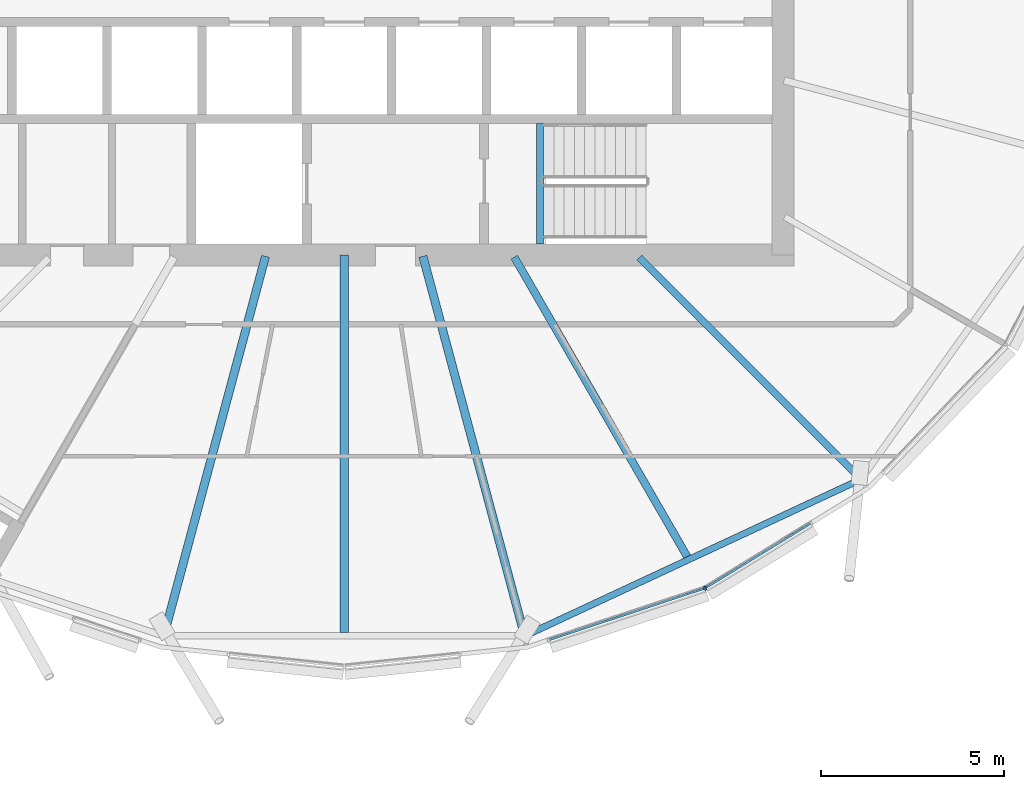
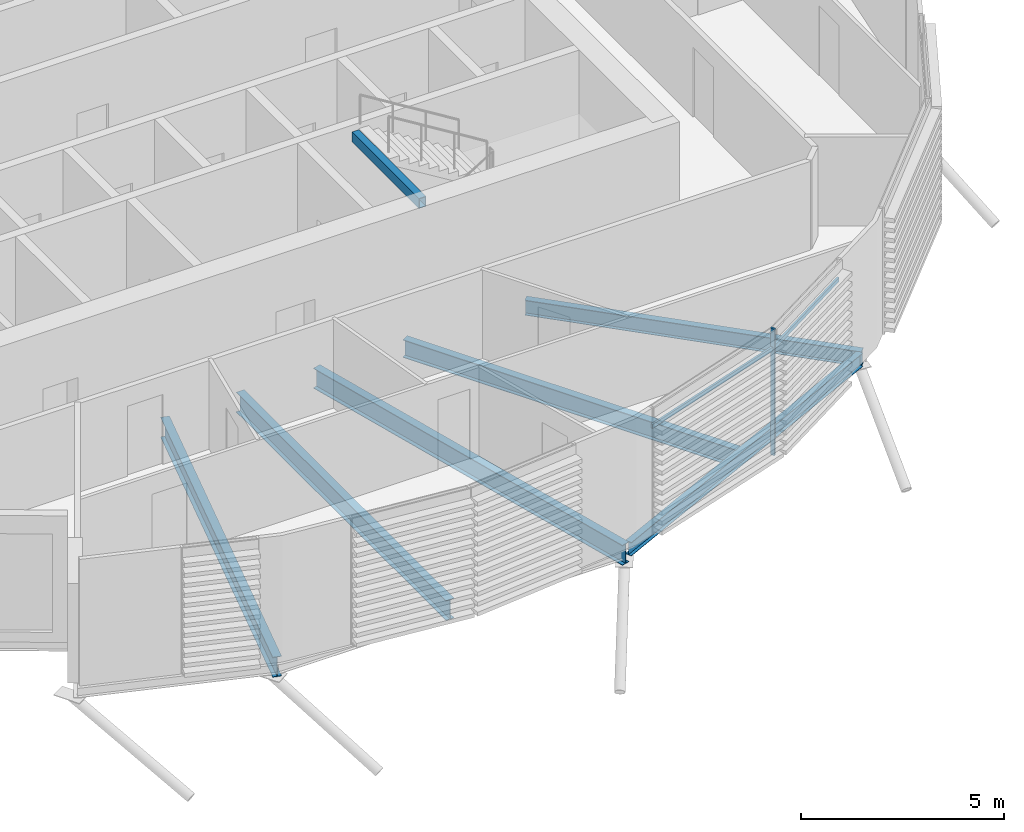
# One storey, part 4 of 36: 7 beams, 3 members, 1 element without a shape of its own.
"""IFC4 building model written with IfcOpenShell, lengths in metres."""

from ifc_helpers import new_model, si_unit, direction, frame, origin, origin_2d, place, context, subcontext, project, spatial, rectangle, hollow_rectangle, i_section, extrude, material, material_profile, profile_set, type_object, element, aggregate, save


model = new_model("IFC4")

# Units and contexts
model_context = context("Model", 3, precision=1e-05, world=origin(), true_north=direction((0.0, 1.0)))
body_context = subcontext(model_context, "Body", "Model", "MODEL_VIEW")
ifc_project = project(units=[si_unit("LENGTHUNIT", "METRE"), si_unit("AREAUNIT", "SQUARE_METRE"), si_unit("VOLUMEUNIT", "CUBIC_METRE"), si_unit("PLANEANGLEUNIT", "RADIAN"), si_unit("MASSUNIT", "GRAM", prefix="KILO")], contexts=[model_context])

# Site, building, storey
site_placement = place(None, origin())
site = spatial("IfcSite", under=ifc_project, at=site_placement, CompositionType="ELEMENT")
building_placement = place(site_placement, origin())
building = spatial("IfcBuilding", under=site, at=building_placement, Name="Rimbun Link Towers", CompositionType="ELEMENT")
storey_placement = place(building_placement, frame((0.0, 0.0, 200.699951171875)))
storey = spatial("IfcBuildingStorey", under=building, at=storey_placement, Name="L49", CompositionType="ELEMENT", Elevation=200.699951171875)

# Curtain wall, members
ifc_material_1 = material(Name="Aluminium 6063-T6 and low-iron glass", Category="aluminium")
curtain_wall_type = type_object("IfcCurtainWallType", Name="CW1-Z3 unitised vision wall (zone 3)", PredefinedType="NOTDEFINED", material=ifc_material_1)
curtain_wall_placement = place(storey_placement, origin())
curtain_wall = element("IfcCurtainWall", 1, at=curtain_wall_placement, inside=storey, type_object=curtain_wall_type, Name="CW1 L49 T1", PredefinedType="NOTDEFINED")
ifc_material_2 = material(Name="Aluminium 6063-T6", Category="aluminium")
ifc_material_profile_1 = material_profile(ifc_material_2, rectangle(XDim=0.1201171875, YDim=0.06005859375, at=origin_2d()), Name="MULLION 60X120")
ifc_profile_set_1 = profile_set([ifc_material_profile_1], Name="Aluminium 6063-T6")
member_type_1 = type_object("IfcMemberType", Name="CW1 mullion 60X120", PredefinedType="MULLION", material=ifc_profile_set_1)
member_1_placement = place(storey_placement, frame((-21.881103515625, -17.10400390625, 0.0), z_axis=(0.0, 0.0, 1.0), x_axis=(0.421694621362, -0.906737914899, 0.0)))
member_1 = element("IfcMember", 2, at=member_1_placement, type_object=member_type_1, Name="CW1 mullion", PredefinedType="MULLION", context=body_context, shape_type="SweptSolid", body=[
    extrude(rectangle(XDim=0.1201171875, YDim=0.06005859375, at=origin_2d()), origin(), (0.0, 0.0, 1.0), 3.800048828125),
])
ifc_material_3 = material(Name="Aluminium 6063-T6", Category="aluminium")
ifc_material_profile_2 = material_profile(ifc_material_3, rectangle(XDim=0.06005859375, YDim=0.1201171875, at=origin_2d()), Name="TRANSOM 60X120")
ifc_profile_set_2 = profile_set([ifc_material_profile_2], Name="Aluminium 6063-T6")
member_type_2 = type_object("IfcMemberType", Name="CW1 transom 60X120", PredefinedType="USERDEFINED", material=ifc_profile_set_2)
member_2_placement = place(storey_placement, frame((-21.916748046875, -17.1142578125, 3.199951171875), z_axis=(-0.949247657744, -0.314529623833, 0.0), x_axis=(0.314529623833, -0.949247657744, 0.0)))
member_2 = element("IfcMember", 3, at=member_2_placement, type_object=member_type_2, Name="CW1 transom", ObjectType="TRANSOM", PredefinedType="USERDEFINED", context=body_context, shape_type="SweptSolid", body=[
    extrude(rectangle(XDim=0.06005859375, YDim=0.1201171875, at=origin_2d()), origin(), (0.0, 0.0, 1.0), 4.44384765625),
])
member_3_placement = place(storey_placement, frame((-19.013427734375, -15.341552734375, 3.199951171875), z_axis=(-0.852194171963, -0.523225661901, 0.0), x_axis=(0.523225661901, -0.852194171963, 0.0)))
member_3 = element("IfcMember", 4, at=member_3_placement, type_object=member_type_2, Name="CW1 transom", ObjectType="TRANSOM", PredefinedType="USERDEFINED", context=body_context, shape_type="SweptSolid", body=[
    extrude(rectangle(XDim=0.06005859375, YDim=0.1201171875, at=origin_2d()), origin(), (0.0, 0.0, 1.0), 3.329345703125),
])
aggregate(curtain_wall, [member_1, member_2, member_3])

# Beams
ifc_material_4 = material(Name="Steel S355J2", Category="steel")
ifc_material_profile_3 = material_profile(ifc_material_4, hollow_rectangle(XDim=0.199951171875, YDim=0.300048828125, WallThickness=0.011962890625, at=origin_2d()), Name="BOX 300x200x12")
ifc_profile_set_3 = profile_set([ifc_material_profile_3], Name="Steel S355J2")
beam_type_1 = type_object("IfcBeamType", Name="Stair trimmer beam BOX 300x200x12", PredefinedType="BEAM", material=ifc_profile_set_3)
beam_1_placement = place(storey_placement, frame((-26.39990234375, -7.699951171875, 3.449951171875), z_axis=(0.0, 1.0, 0.0), x_axis=(-1.0, 0.0, 0.0)))
element("IfcBeam", 5, at=beam_1_placement, inside=storey, type_object=beam_type_1, Name="L49 ST2 stair beam 1", PredefinedType="BEAM", context=body_context, shape_type="SweptSolid", body=[
    extrude(hollow_rectangle(XDim=0.199951171875, YDim=0.300048828125, WallThickness=0.011962890625, at=origin_2d()), origin(), (0.0, 0.0, 1.0), 3.300048828125),
])
ifc_material_5 = material(Name="Steel S355J2", Category="steel")
ifc_material_profile_4 = material_profile(ifc_material_5, i_section(OverallWidth=0.177978515625, OverallDepth=0.406494140625, WebThickness=0.0078125, FlangeThickness=0.0126953125, at=origin_2d()), Name="UB 406x178x60")
ifc_profile_set_4 = profile_set([ifc_material_profile_4], Name="Steel S355J2")
beam_type_2 = type_object("IfcBeamType", Name="UB 406x178x60", PredefinedType="BEAM", material=ifc_profile_set_4)
beam_2_placement = place(storey_placement, frame((-26.711181640625, -18.361572265625, -0.353271484375), z_axis=(0.906412403609, 0.42239383824, 0.0), x_axis=(-0.42239383824, 0.906412403609, 0.0)))
element("IfcBeam", 6, at=beam_2_placement, inside=storey, type_object=beam_type_2, Name="Edge beam T1 L49 19-21", PredefinedType="BEAM", context=body_context, shape_type="SweptSolid", body=[
    extrude(i_section(OverallWidth=0.177978515625, OverallDepth=0.406494140625, WebThickness=0.0078125, FlangeThickness=0.0126953125, at=origin_2d()), origin(), (0.0, 0.0, 1.0), 9.924072265625),
])
ifc_material_6 = material(Name="Steel S355J2", Category="steel")
ifc_material_profile_5 = material_profile(ifc_material_6, i_section(OverallWidth=0.18994140625, OverallDepth=0.453369140625, WebThickness=0.008544921875, FlangeThickness=0.0126953125, at=origin_2d()), Name="UB 457x191x67")
ifc_profile_set_5 = profile_set([ifc_material_profile_5], Name="Steel S355J2")
beam_type_3 = type_object("IfcBeamType", Name="UB 457x191x67", PredefinedType="BEAM", material=ifc_profile_set_5)
beam_3_placement = place(storey_placement, frame((-23.68212890625, -8.06787109375, -0.376708984375), z_axis=(0.707106781187, -0.707106781187, 0.0), x_axis=(0.707106781187, 0.707106781187, 0.0)))
element("IfcBeam", 7, at=beam_3_placement, inside=storey, type_object=beam_type_3, Name="Radial beam T1 L49 21", PredefinedType="BEAM", context=body_context, shape_type="SweptSolid", body=[
    extrude(i_section(OverallWidth=0.18994140625, OverallDepth=0.453369140625, WebThickness=0.008544921875, FlangeThickness=0.0126953125, at=origin_2d()), origin(), (0.0, 0.0, 1.0), 8.568603515625),
])
ifc_material_7 = material(Name="Steel S355J2", Category="steel")
ifc_material_profile_6 = material_profile(ifc_material_7, i_section(OverallWidth=0.209228515625, OverallDepth=0.533203125, WebThickness=0.010009765625, FlangeThickness=0.015625, at=origin_2d()), Name="UB 533x210x92")
ifc_profile_set_6 = profile_set([ifc_material_profile_6], Name="Steel S355J2")
beam_type_4 = type_object("IfcBeamType", Name="UB 533x210x92", PredefinedType="BEAM", material=ifc_profile_set_6)
beam_4_placement = place(storey_placement, frame((-27.1005859375, -8.05322265625, -0.41650390625), z_axis=(0.500007824733, -0.866020886126, 0.0), x_axis=(0.866020886126, 0.500007824733, 0.0)))
element("IfcBeam", 8, at=beam_4_placement, inside=storey, type_object=beam_type_4, Name="Radial beam T1 L49 20", PredefinedType="BEAM", context=body_context, shape_type="SweptSolid", body=[
    extrude(i_section(OverallWidth=0.209228515625, OverallDepth=0.533203125, WebThickness=0.010009765625, FlangeThickness=0.015625, at=origin_2d()), origin(), (0.0, 0.0, 1.0), 9.454345703125),
])
ifc_material_8 = material(Name="Steel S355J2", Category="steel")
ifc_material_profile_7 = material_profile(ifc_material_8, i_section(OverallWidth=0.2275390625, OverallDepth=0.6025390625, WebThickness=0.010498046875, FlangeThickness=0.014892578125, at=origin_2d()), Name="UB 610x229x101")
ifc_profile_set_7 = profile_set([ifc_material_profile_7], Name="Steel S355J2")
beam_type_5 = type_object("IfcBeamType", Name="UB 610x229x101", PredefinedType="BEAM", material=ifc_profile_set_7)
beam_5_placement = place(storey_placement, frame((-33.901611328125, -8.030517578125, -0.451171875), z_axis=(-0.258840294458, -0.965920132291, 0.0), x_axis=(0.965920132291, -0.258840294458, 0.0)))
element("IfcBeam", 9, at=beam_5_placement, inside=storey, type_object=beam_type_5, Name="Radial beam T1 L49 17", PredefinedType="BEAM", context=body_context, shape_type="SweptSolid", body=[
    extrude(i_section(OverallWidth=0.2275390625, OverallDepth=0.6025390625, WebThickness=0.010498046875, FlangeThickness=0.014892578125, at=origin_2d()), origin(), (0.0, 0.0, 1.0), 10.656494140625),
])
beam_6_placement = place(storey_placement, frame((-31.75, -8.0009765625, -0.451171875), z_axis=(0.0, -1.0, 0.0), x_axis=(1.0, 0.0, 0.0)))
element("IfcBeam", 10, at=beam_6_placement, inside=storey, type_object=beam_type_5, Name="Radial beam T1 L49 18", PredefinedType="BEAM", context=body_context, shape_type="SweptSolid", body=[
    extrude(i_section(OverallWidth=0.2275390625, OverallDepth=0.6025390625, WebThickness=0.010498046875, FlangeThickness=0.014892578125, at=origin_2d()), origin(), (0.0, 0.0, 1.0), 10.31982421875),
])
beam_7_placement = place(storey_placement, frame((-29.598388671875, -8.030517578125, -0.451171875), z_axis=(0.258831851785, -0.965922394658, 0.0), x_axis=(0.965922394658, 0.258831851785, 0.0)))
element("IfcBeam", 11, at=beam_7_placement, inside=storey, type_object=beam_type_5, Name="Radial beam T1 L49 19", PredefinedType="BEAM", context=body_context, shape_type="SweptSolid", body=[
    extrude(i_section(OverallWidth=0.2275390625, OverallDepth=0.6025390625, WebThickness=0.010498046875, FlangeThickness=0.014892578125, at=origin_2d()), origin(), (0.0, 0.0, 1.0), 10.746337890625),
])

save(model, "model.ifc")
